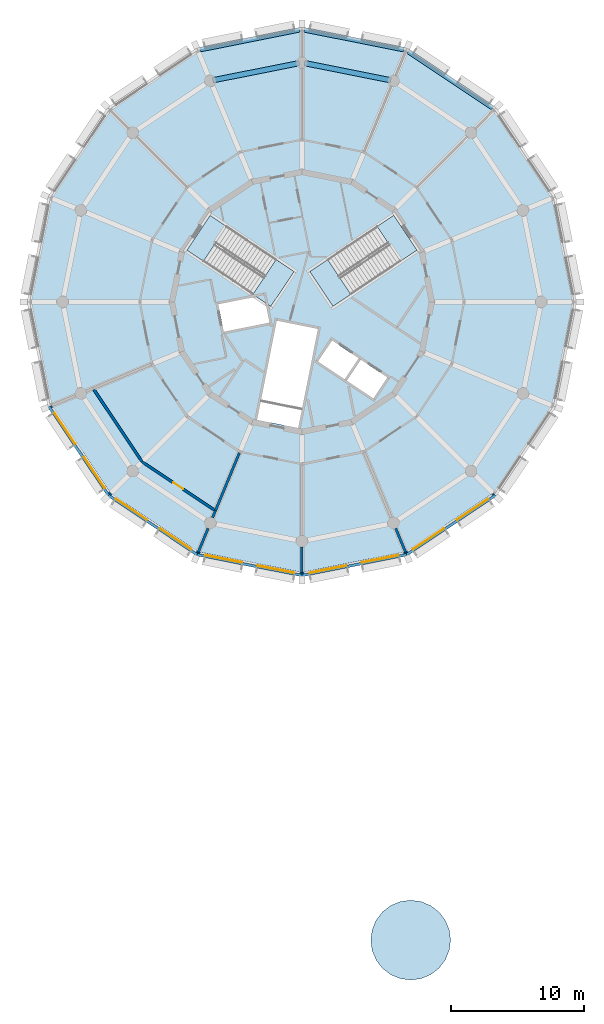
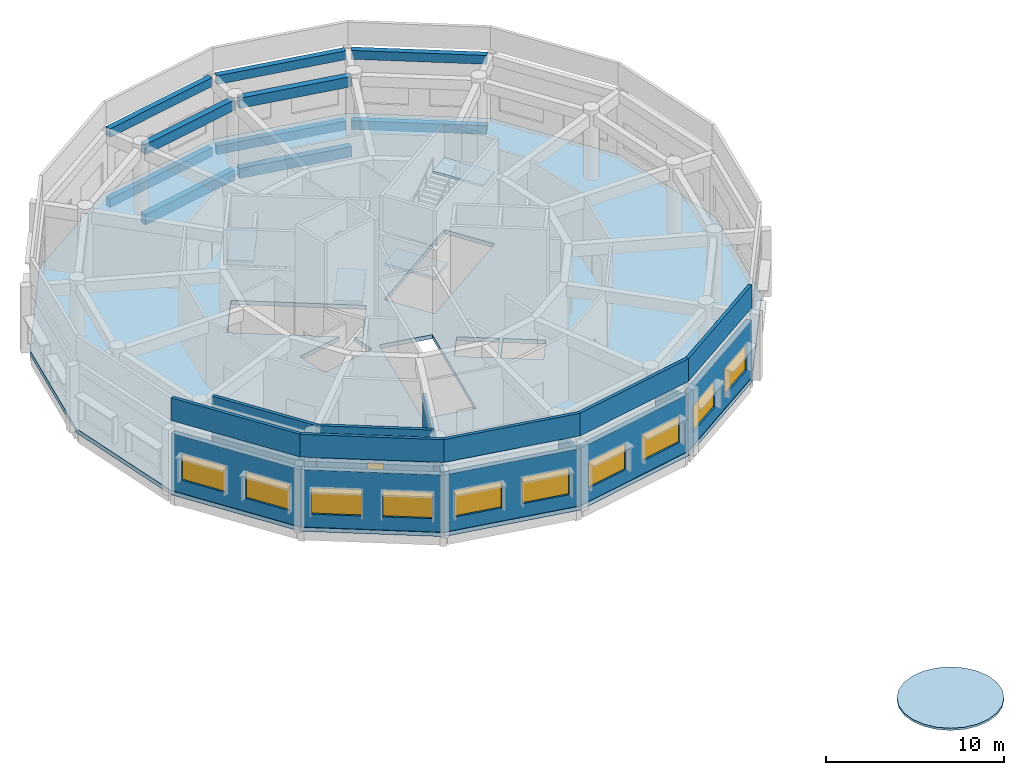
# One storey, part 2 of 8: 17 walls, 10 beams, 10 windows, 6 slabs, 1 door, 11 openings, 2 elements without a shape of their own.
"""IFC4 building model written with IfcOpenShell, lengths in metres."""

from ifc_helpers import new_model, si_unit, direction, frame, frame_2d, origin, origin_2d, place, context, subcontext, project, spatial, polyline, rectangle, outline, extrude, material, layer, layer_set, material_profile, profile_set, type_object, element, fill, aggregate, save


model = new_model("IFC4")

# Units and contexts
model_context = context("Model", 3, precision=1e-05, world=origin(), true_north=direction((0.0, 1.0)))
body_context = subcontext(model_context, "Body", "Model", "MODEL_VIEW")
ifc_project = project(units=[si_unit("LENGTHUNIT", "METRE"), si_unit("AREAUNIT", "SQUARE_METRE"), si_unit("VOLUMEUNIT", "CUBIC_METRE"), si_unit("PLANEANGLEUNIT", "RADIAN"), si_unit("MASSUNIT", "GRAM", prefix="KILO")], contexts=[model_context])

# Site, building, storey
site_placement = place(None, origin())
site = spatial("IfcSite", under=ifc_project, at=site_placement, CompositionType="ELEMENT")
building_placement = place(site_placement, origin())
building = spatial("IfcBuilding", under=site, at=building_placement, Name="Ceibo Conservatory and Research Tower", CompositionType="ELEMENT")
storey_placement = place(building_placement, frame((0.0, 0.0, 20.39990234375)))
storey = spatial("IfcBuildingStorey", under=building, at=storey_placement, Name="L04", CompositionType="ELEMENT", Elevation=20.39990234375)

# Beams
ifc_material_1 = material(Name="Concrete C35/45", Category="concrete")
ifc_material_profile_1 = material_profile(ifc_material_1, rectangle(XDim=0.35009765625, YDim=0.60009765625, at=origin_2d()), Name="RC 350x600")
ifc_profile_set_1 = profile_set([ifc_material_profile_1], Name="Concrete C35/45")
beam_type_1 = type_object("IfcBeamType", Name="RC beam 350x600 C35", PredefinedType="BEAM", material=ifc_profile_set_1)
for number, where, z_axis, x_axis, name in (
    (1, (62.3427734375, 134.597900390625, -0.579833984375), (-0.831464091312, 0.555578495676, 0.0), (-0.555578495676, -0.831464091312, 0.0), "Edge beam 03 L04"),
    (2, (55.66455078125, 138.975341796875, -0.579833984375), (-0.980783190489, 0.195100828433, 0.0), (-0.195100828433, -0.980783190489, 0.0), "Edge beam 04 L04"),
    (3, (47.819580078125, 140.464111328125, -0.579833984375), (-0.980783190489, -0.195100828433, 0.0), (0.195100828433, -0.980783190489, 0.0), "Edge beam 05 L04"),
    (4, (62.3427734375, 134.597900390625, 4.22021484375), (-0.831464091312, 0.555578495676, 0.0), (-0.555578495676, -0.831464091312, 0.0), "Edge beam 03 L04"),
    (5, (55.66455078125, 138.975341796875, 4.22021484375), (-0.980783190489, 0.195100828433, 0.0), (-0.195100828433, -0.980783190489, 0.0), "Edge beam 04 L04"),
    (6, (47.819580078125, 140.464111328125, 4.22021484375), (-0.980783190489, -0.195100828433, 0.0), (0.195100828433, -0.980783190489, 0.0), "Edge beam 05 L04"),
):
    element("IfcBeam", number, at=place(storey_placement, frame(where, z_axis=z_axis, x_axis=x_axis)), inside=storey, type_object=beam_type_1, Name=name, PredefinedType="BEAM", context=body_context, shape_type="SweptSolid", body=[
        extrude(rectangle(XDim=0.35009765625, YDim=0.60009765625, at=origin_2d()), origin(), (0.0, 0.0, 1.0), 7.630859375),
    ])
ifc_material_profile_2 = material_profile(ifc_material_1, rectangle(XDim=0.39990234375, YDim=0.699951171875, at=origin_2d()), Name="RC 400x700")
ifc_profile_set_2 = profile_set([ifc_material_profile_2], Name="Concrete C35/45")
beam_type_2 = type_object("IfcBeamType", Name="RC beam 400x700 C35", PredefinedType="BEAM", material=ifc_profile_set_2)
for number, where, z_axis, x_axis, name in (
    (7, (54.7080078125, 136.665771484375, -0.6298828125), (-0.980787526167, 0.19507903146, 0.0), (-0.19507903146, -0.980787526167, 0.0), "Ring beam 04 L04"),
    (8, (47.819580078125, 137.964111328125, -0.6298828125), (-0.980787526167, -0.19507903146, 0.0), (0.19507903146, -0.980787526167, 0.0), "Ring beam 05 L04"),
    (9, (54.7080078125, 136.665771484375, 4.170166015625), (-0.980787526167, 0.19507903146, 0.0), (-0.19507903146, -0.980787526167, 0.0), "Ring beam 04 L04"),
    (10, (47.819580078125, 137.964111328125, 4.170166015625), (-0.980787526167, -0.19507903146, 0.0), (0.19507903146, -0.980787526167, 0.0), "Ring beam 05 L04"),
):
    element("IfcBeam", number, at=place(storey_placement, frame(where, z_axis=z_axis, x_axis=x_axis)), inside=storey, type_object=beam_type_2, Name=name, PredefinedType="BEAM", context=body_context, shape_type="SweptSolid", body=[
        extrude(rectangle(XDim=0.39990234375, YDim=0.699951171875, at=origin_2d()), origin(), (0.0, 0.0, 1.0), 6.655517578125),
    ])

# Stair, slab
stair_type = type_object("IfcStairType", Name="Escape stair 146 x 280", PredefinedType="HALF_TURN_STAIR", material=ifc_material_1)
stair_1_placement = place(storey_placement, origin())
stair_1 = element("IfcStair", 11, at=stair_1_placement, inside=storey, type_object=stair_type, Name="Escape stair ST1 04", PredefinedType="HALF_TURN_STAIR")
ifc_layer_1 = layer(ifc_material_1, 0.199951171875)
ifc_layer_set_1 = layer_set([ifc_layer_1], Name="Concrete C35/45")
slab_type_1 = type_object("IfcSlabType", Name="Escape stair landing", PredefinedType="LANDING", material=ifc_layer_set_1)
slab_1_placement = place(storey_placement, frame((49.93359375, 123.186279296875, 2.280029296875), z_axis=(0.0, 0.0, 1.0), x_axis=(-0.831469612303, -0.55557023302, 0.0)))
slab_1 = element("IfcSlab", 12, at=slab_1_placement, type_object=slab_type_1, Name="ST1 landing 1", PredefinedType="LANDING", context=body_context, shape_type="SweptSolid", body=[
    extrude(outline(polyline([(0.0, 0.0), (1.6201171875, 0.0), (1.6201171875, 3.14990234375), (0.0, 3.14990234375), (0.0, 0.0)])), origin(), (0.0, 0.0, 1.0), 0.199951171875),
])

stair_2_placement = place(storey_placement, origin())
stair_2 = element("IfcStair", 13, at=stair_2_placement, inside=storey, type_object=stair_type, Name="Escape stair ST2 04", PredefinedType="HALF_TURN_STAIR")
slab_2_placement = place(storey_placement, frame((44.31640625, 120.567138671875, 2.280029296875), z_axis=(0.0, 0.0, 1.0), x_axis=(0.831469612303, -0.55557023302, 0.0)))
slab_2 = element("IfcSlab", 14, at=slab_2_placement, type_object=slab_type_1, Name="ST2 landing 1", PredefinedType="LANDING", context=body_context, shape_type="SweptSolid", body=[
    extrude(outline(polyline([(0.0, 0.0), (1.6201171875, 0.0), (1.6201171875, 3.14990234375), (0.0, 3.14990234375), (0.0, 0.0)])), origin(), (0.0, 0.0, 1.0), 0.199951171875),
])

# Slabs
ifc_layer_2 = layer(ifc_material_1, 0.14990234375)
ifc_layer_set_2 = layer_set([ifc_layer_2], Name="Concrete C35/45")
slab_type_2 = type_object("IfcSlabType", Name="RC auditorium roof deck 150", PredefinedType="ROOF", material=ifc_layer_set_2)
slab_3_placement = place(storey_placement, frame((0.0, 0.0, 0.4501953125)))
element("IfcSlab", 15, at=slab_3_placement, inside=storey, type_object=slab_type_2, Name="Auditorium roof crown deck", PredefinedType="ROOF", context=body_context, shape_type="SweptSolid", body=[
    extrude(outline(polyline([(59.18017578125, 72.0), (59.077880859375, 72.7763671875), (58.778076171875, 73.5), (58.301513671875, 74.121337890625), (57.68017578125, 74.59814453125), (56.95654296875, 74.897705078125), (56.18017578125, 75.0), (55.403564453125, 74.897705078125), (54.68017578125, 74.59814453125), (54.058837890625, 74.121337890625), (53.58203125, 73.5), (53.2822265625, 72.7763671875), (53.18017578125, 72.0), (53.2822265625, 71.2236328125), (53.58203125, 70.5), (54.058837890625, 69.878662109375), (54.68017578125, 69.40185546875), (55.403564453125, 69.102294921875), (56.18017578125, 69.0), (56.95654296875, 69.102294921875), (57.68017578125, 69.40185546875), (58.301513671875, 69.878662109375), (58.778076171875, 70.5), (59.077880859375, 71.2236328125), (59.18017578125, 72.0)])), origin(), (0.0, 0.0, 1.0), 0.14990234375),
])
ifc_layer_3 = layer(ifc_material_1, 0.280029296875)
ifc_layer_set_3 = layer_set([ifc_layer_3], Name="Concrete C35/45")
slab_type_3 = type_object("IfcSlabType", Name="RC floor slab 280", PredefinedType="FLOOR", material=ifc_layer_set_3)
slab_4_placement = place(storey_placement, frame((0.0, 0.0, -0.27978515625)))
element("IfcSlab", 16, at=slab_4_placement, inside=storey, type_object=slab_type_3, Name="Floor slab L04", PredefinedType="FLOOR", context=body_context, shape_type="SweptSolid", body=[
    extrude(outline(polyline([(68.678466796875, 120.0), (67.1044921875, 127.913330078125), (62.621826171875, 134.621826171875), (55.913330078125, 139.1044921875), (48.0, 140.678466796875), (40.086669921875, 139.1044921875), (33.378173828125, 134.621826171875), (28.8955078125, 127.913330078125), (27.321533203125, 120.0), (28.8955078125, 112.086669921875), (33.378173828125, 105.378173828125), (40.086669921875, 100.8955078125), (48.0, 99.321533203125), (55.913330078125, 100.8955078125), (62.621826171875, 105.378173828125), (67.1044921875, 112.086669921875), (68.678466796875, 120.0)]), holes=[polyline([(52.43310546875, 115.65478515625), (51.37744140625, 114.074951171875), (53.373046875, 112.74169921875), (54.428466796875, 114.321533203125), (52.43310546875, 115.65478515625)]), polyline([(47.718994140625, 110.5146484375), (49.201904296875, 117.96875), (46.1123046875, 118.583251953125), (44.629638671875, 111.129150390625), (47.718994140625, 110.5146484375)]), polyline([(52.266845703125, 115.765869140625), (50.271240234375, 117.099365234375), (49.215576171875, 115.51953125), (51.211181640625, 114.18603515625), (52.266845703125, 115.765869140625)]), polyline([(42.1240234375, 117.760498046875), (45.556640625, 118.443359375), (45.259521484375, 119.936767578125), (45.663330078125, 119.6669921875), (47.413330078125, 122.2861328125), (41.09423828125, 126.508544921875), (39.34423828125, 123.889404296875), (44.58056640625, 120.390380859375), (41.71435546875, 119.8203125), (42.1240234375, 117.760498046875)]), polyline([(54.90576171875, 126.508544921875), (48.586669921875, 122.2861328125), (50.336669921875, 119.6669921875), (56.65576171875, 123.889404296875), (54.90576171875, 126.508544921875)])]), origin(), (0.0, 0.0, 1.0), 0.27978515625),
])

# Slab
ifc_layer_4 = layer(ifc_material_1, 0.159912109375)
ifc_layer_set_4 = layer_set([ifc_layer_4], Name="Concrete C35/45")
slab_type_4 = type_object("IfcSlabType", Name="Roof stair landing 160", PredefinedType="LANDING", material=ifc_layer_set_4)
slab_5_placement = place(storey_placement, frame((54.90576171875, 126.508544921875, 4.80029296875), z_axis=(0.0, 0.0, 1.0), x_axis=(-0.831469612303, -0.55557023302, 0.0)))
slab_5 = element("IfcSlab", 17, at=slab_5_placement, type_object=slab_type_4, Name="ST1 landing 2", PredefinedType="LANDING", context=body_context, shape_type="SweptSolid", body=[
    extrude(outline(polyline([(0.0, 0.0), (1.5, 0.0), (1.5, 3.150146484375), (0.0, 3.150146484375), (0.0, 0.0)])), origin(), (0.0, 0.0, 1.0), 0.159912109375),
])

aggregate(stair_1, [slab_1, slab_5])

slab_6_placement = place(storey_placement, frame((39.34423828125, 123.889404296875, 4.80029296875), z_axis=(0.0, 0.0, 1.0), x_axis=(0.831469612303, -0.55557023302, 0.0)))
slab_6 = element("IfcSlab", 18, at=slab_6_placement, type_object=slab_type_4, Name="ST2 landing 2", PredefinedType="LANDING", context=body_context, shape_type="SweptSolid", body=[
    extrude(outline(polyline([(0.0, 0.0), (1.5, 0.0), (1.5, 3.150146484375), (0.0, 3.150146484375), (0.0, 0.0)])), origin(), (0.0, 0.0, 1.0), 0.159912109375),
])

aggregate(stair_2, [slab_2, slab_6])

# Wall, opening, door
ifc_material_2 = material(Name="Masonry blockwork", Category="masonry")
ifc_layer_5 = layer(ifc_material_2, 0.199951171875)
ifc_layer_set_5 = layer_set([ifc_layer_5], Name="Masonry blockwork")
wall_type_1 = type_object("IfcWallType", Name="Compartment wall 200 EI 120", PredefinedType="SOLIDWALL", material=ifc_layer_set_5)
wall_1_placement = place(storey_placement, frame((41.413818359375, 104.347900390625, 0.0), z_axis=(0.0, 0.0, 1.0), x_axis=(-0.831463684976, 0.555579103788, 0.0)))
wall_1 = element("IfcWall", 19, at=wall_1_placement, inside=storey, type_object=wall_type_1, Name="Partition 04.017", PredefinedType="SOLIDWALL", context=body_context, shape_type="SweptSolid", body=[
    extrude(rectangle(XDim=6.5361328125, YDim=0.199951171875, at=frame_2d((3.26806640625, 0.0))), origin(), (0.0, 0.0, 1.0), 4.52001953125),
])
opening_1_placement = place(wall_1_placement, frame((2.818115234375, 0.0, 0.0)))
opening_1 = element("IfcOpeningElement", 20, at=opening_1_placement, cuts=wall_1, Name="Opening T04-03", PredefinedType="OPENING", context=body_context, shape_type="SweptSolid", body=[
    extrude(rectangle(XDim=0.89990234375, YDim=2.10009765625, at=frame_2d((0.449951171875, 1.050048828125))), frame((0.0, 0.10986328125, 0.0), z_axis=(0.0, -1.0, 0.0), x_axis=(1.0, 0.0, 0.0)), (0.0, 0.0, 1.0), 0.219970703125),
])
ifc_material_3 = material(Name="Solid timber", Category="wood")
door_type = type_object("IfcDoorType", Name="Door single 900x2100 (left hand)", OperationType="SINGLE_SWING_LEFT", PredefinedType="DOOR", material=ifc_material_3)
door_placement = place(opening_1_placement, frame((0.89990234375, 0.0, 0.0), z_axis=(0.0, 0.0, 1.0), x_axis=(-1.0, 0.0, 0.0)))
door = element("IfcDoor", 21, at=door_placement, inside=storey, type_object=door_type, Name="Door T04-03", OperationType="SINGLE_SWING_LEFT", OverallHeight=2.10009765625, OverallWidth=0.89990234375, PredefinedType="DOOR", context=body_context, shape_type="SweptSolid", body=[
    extrude(rectangle(XDim=0.89990234375, YDim=2.10009765625, at=frame_2d((0.449951171875, 1.050048828125))), frame((0.0, 0.02490234375, 0.0), z_axis=(0.0, -1.0, 0.0), x_axis=(1.0, 0.0, 0.0)), (0.0, 0.0, 1.0), 0.050048828125),
])
fill(opening_1, door)

# Walls
wall_2_placement = place(storey_placement, frame((35.979248046875, 107.979248046875, 0.0), z_axis=(0.0, 0.0, 1.0), x_axis=(-0.555579103788, 0.831463684976, 0.0)))
element("IfcWall", 22, at=wall_2_placement, inside=storey, type_object=wall_type_1, Name="Partition 04.018", PredefinedType="SOLIDWALL", context=body_context, shape_type="SweptSolid", body=[
    extrude(rectangle(XDim=6.5361328125, YDim=0.199951171875, at=frame_2d((3.26806640625, 0.0))), origin(), (0.0, 0.0, 1.0), 4.52001953125),
])
wall_3_placement = place(storey_placement, frame((43.294189453125, 108.63916015625, 0.0), z_axis=(0.0, 0.0, 1.0), x_axis=(-0.382694121147, -0.923875105, 0.0)))
element("IfcWall", 23, at=wall_3_placement, inside=storey, type_object=wall_type_1, Name="Partition 04.019", PredefinedType="SOLIDWALL", context=body_context, shape_type="SweptSolid", body=[
    extrude(rectangle(XDim=4.702880859375, YDim=0.199951171875, at=frame_2d((2.3515625, 0.0))), origin(), (0.0, 0.0, 1.0), 3.72021484375),
])
wall_4_placement = place(storey_placement, frame((40.943359375, 102.963623046875, 0.0), z_axis=(0.0, 0.0, 1.0), x_axis=(-0.382743417344, -0.923854683638, 0.0)))
element("IfcWall", 24, at=wall_4_placement, inside=storey, type_object=wall_type_1, Name="Partition 04.021", PredefinedType="SOLIDWALL", context=body_context, shape_type="SweptSolid", body=[
    extrude(rectangle(XDim=1.927001953125, YDim=0.199951171875, at=frame_2d((0.96337890625, 0.0))), origin(), (0.0, 0.0, 1.0), 3.72021484375),
])
wall_5_placement = place(storey_placement, frame((41.494384765625, 104.2939453125, 0.0), z_axis=(0.0, 0.0, 1.0), x_axis=(-0.382788170111, -0.92383614176, 0.0)))
element("IfcWall", 25, at=wall_5_placement, inside=storey, type_object=wall_type_1, Name="Partition 04.022", PredefinedType="SOLIDWALL", context=body_context, shape_type="SweptSolid", body=[
    extrude(rectangle(XDim=0.56005859375, YDim=0.199951171875, at=frame_2d((0.280029296875, 0.0))), origin(), (0.0, 0.0, 1.0), 3.72021484375),
])
wall_6_placement = place(storey_placement, frame((48.0, 101.56005859375, 0.0), z_axis=(0.0, 0.0, 1.0), x_axis=(0.0, -1.0, 0.0)))
element("IfcWall", 26, at=wall_6_placement, inside=storey, type_object=wall_type_1, Name="Partition 04.025", PredefinedType="SOLIDWALL", context=body_context, shape_type="SweptSolid", body=[
    extrude(rectangle(XDim=1.92724609375, YDim=0.199951171875, at=frame_2d((0.963623046875, 0.0))), origin(), (0.0, 0.0, 1.0), 3.72021484375),
])
wall_7_placement = place(storey_placement, frame((55.056640625, 102.963623046875, 0.0), z_axis=(0.0, 0.0, 1.0), x_axis=(0.382743417344, -0.923854683638, 0.0)))
element("IfcWall", 27, at=wall_7_placement, inside=storey, type_object=wall_type_1, Name="Partition 04.028", PredefinedType="SOLIDWALL", context=body_context, shape_type="SweptSolid", body=[
    extrude(rectangle(XDim=1.927001953125, YDim=0.199951171875, at=frame_2d((0.96337890625, 0.0))), origin(), (0.0, 0.0, 1.0), 3.72021484375),
])

# Wall, openings, windows
ifc_material_4 = material(Name="Ceramic mosaic tessera")
ifc_layer_6 = layer(ifc_material_4, 0.010009765625, Name="Ceramic mosaic")
ifc_material_5 = material(Name="Polymer-modified bedding mortar")
ifc_layer_7 = layer(ifc_material_5, 0.014892578125, Name="Bedding mortar")
ifc_material_6 = material(Name="Mineral wool insulation")
ifc_layer_8 = layer(ifc_material_6, 0.050048828125, Name="Insulation")
ifc_material_7 = material(Name="Concrete C30/37", Category="concrete")
ifc_layer_9 = layer(ifc_material_7, 0.215087890625, Name="Reinforced concrete leaf")
ifc_material_8 = material(Name="Gypsum plaster")
ifc_layer_10 = layer(ifc_material_8, 0.010009765625, Name="Internal plaster")
ifc_layer_set_6 = layer_set([ifc_layer_6, ifc_layer_7, ifc_layer_8, ifc_layer_9, ifc_layer_10], Name="Concrete C30/37")
wall_type_2 = type_object("IfcWallType", Name="Facade panel wall 300", PredefinedType="SOLIDWALL", material=ifc_layer_set_6)
wall_8_placement = place(storey_placement, frame((29.060546875, 112.155029296875, 0.0), z_axis=(0.0, 0.0, 1.0), x_axis=(0.555573308032, -0.831467557637, 0.0)))
wall_8 = element("IfcWall", 28, at=wall_8_placement, inside=storey, type_object=wall_type_2, Name="Facade wall L04 facet 10", PredefinedType="SOLIDWALL", context=body_context, shape_type="SweptSolid", body=[
    extrude(outline(polyline([(-0.02978515625, -0.14990234375), (8.028564453125, -0.14990234375), (7.968994140625, 0.14990234375), (0.02978515625, 0.14990234375), (-0.02978515625, -0.14990234375)])), origin(), (0.0, 0.0, 1.0), 3.920166015625),
])
opening_2_placement = place(wall_8_placement, frame((0.599609375, 0.0, 0.89990234375)))
opening_2 = element("IfcOpeningElement", 29, at=opening_2_placement, cuts=wall_8, Name="Opening PW2", PredefinedType="OPENING", context=body_context, shape_type="SweptSolid", body=[
    extrude(rectangle(XDim=2.800048828125, YDim=1.800048828125, at=frame_2d((1.39990234375, 0.89990234375))), frame((0.0, 0.159912109375, 0.0), z_axis=(0.0, -1.0, 0.0), x_axis=(1.0, 0.0, 0.0)), (0.0, 0.0, 1.0), 0.320068359375),
])
opening_3_placement = place(wall_8_placement, frame((4.59912109375, 0.0, 0.89990234375)))
opening_3 = element("IfcOpeningElement", 30, at=opening_3_placement, cuts=wall_8, Name="Opening PW2", PredefinedType="OPENING", context=body_context, shape_type="SweptSolid", body=[
    extrude(rectangle(XDim=2.800048828125, YDim=1.800048828125, at=frame_2d((1.39990234375, 0.89990234375))), frame((0.0, 0.159912109375, 0.0), z_axis=(0.0, -1.0, 0.0), x_axis=(1.0, 0.0, 0.0)), (0.0, 0.0, 1.0), 0.320068359375),
])
ifc_material_9 = material(Name="Aluminium frame with double glazing", Category="aluminium")
window_type = type_object("IfcWindowType", Name="Punched window PW1 2800 x 1800", PartitioningType="DOUBLE_PANEL_VERTICAL", PredefinedType="WINDOW", material=ifc_material_9)
window_1_placement = place(opening_2_placement, origin())
window_1 = element("IfcWindow", 31, at=window_1_placement, inside=storey, type_object=window_type, Name="T.L04.F09.WIN.1", OverallHeight=1.800048828125, OverallWidth=2.800048828125, PartitioningType="DOUBLE_PANEL_VERTICAL", PredefinedType="WINDOW", context=body_context, shape_type="SweptSolid", body=[
    extrude(rectangle(XDim=2.800048828125, YDim=1.800048828125, at=frame_2d((1.39990234375, 0.89990234375))), frame((0.0, 0.030029296875, 0.0), z_axis=(0.0, -1.0, 0.0), x_axis=(1.0, 0.0, 0.0)), (0.0, 0.0, 1.0), 0.06005859375),
])
fill(opening_2, window_1)
window_2_placement = place(opening_3_placement, origin())
window_2 = element("IfcWindow", 32, at=window_2_placement, inside=storey, type_object=window_type, Name="T.L04.F09.WIN.2", OverallHeight=1.800048828125, OverallWidth=2.800048828125, PartitioningType="DOUBLE_PANEL_VERTICAL", PredefinedType="WINDOW", context=body_context, shape_type="SweptSolid", body=[
    extrude(rectangle(XDim=2.800048828125, YDim=1.800048828125, at=frame_2d((1.39990234375, 0.89990234375))), frame((0.0, 0.030029296875, 0.0), z_axis=(0.0, -1.0, 0.0), x_axis=(1.0, 0.0, 0.0)), (0.0, 0.0, 1.0), 0.06005859375),
])
fill(opening_3, window_2)

wall_9_placement = place(storey_placement, frame((33.50439453125, 105.50439453125, 0.0), z_axis=(0.0, 0.0, 1.0), x_axis=(0.831467557637, -0.555573308032, 0.0)))
wall_9 = element("IfcWall", 33, at=wall_9_placement, inside=storey, type_object=wall_type_2, Name="Facade wall L04 facet 11", PredefinedType="SOLIDWALL", context=body_context, shape_type="SweptSolid", body=[
    extrude(outline(polyline([(-0.02978515625, -0.14990234375), (8.028564453125, -0.14990234375), (7.968994140625, 0.14990234375), (0.02978515625, 0.14990234375), (-0.02978515625, -0.14990234375)])), origin(), (0.0, 0.0, 1.0), 3.920166015625),
])
opening_4_placement = place(wall_9_placement, frame((0.599609375, 0.0, 0.89990234375)))
opening_4 = element("IfcOpeningElement", 34, at=opening_4_placement, cuts=wall_9, Name="Opening PW2", PredefinedType="OPENING", context=body_context, shape_type="SweptSolid", body=[
    extrude(rectangle(XDim=2.800048828125, YDim=1.800048828125, at=frame_2d((1.39990234375, 0.89990234375))), frame((0.0, 0.159912109375, 0.0), z_axis=(0.0, -1.0, 0.0), x_axis=(1.0, 0.0, 0.0)), (0.0, 0.0, 1.0), 0.320068359375),
])
opening_5_placement = place(wall_9_placement, frame((4.59912109375, 0.0, 0.89990234375)))
opening_5 = element("IfcOpeningElement", 35, at=opening_5_placement, cuts=wall_9, Name="Opening PW2", PredefinedType="OPENING", context=body_context, shape_type="SweptSolid", body=[
    extrude(rectangle(XDim=2.800048828125, YDim=1.800048828125, at=frame_2d((1.39990234375, 0.89990234375))), frame((0.0, 0.159912109375, 0.0), z_axis=(0.0, -1.0, 0.0), x_axis=(1.0, 0.0, 0.0)), (0.0, 0.0, 1.0), 0.320068359375),
])
window_3_placement = place(opening_4_placement, origin())
window_3 = element("IfcWindow", 36, at=window_3_placement, inside=storey, type_object=window_type, Name="T.L04.F10.WIN.1", OverallHeight=1.800048828125, OverallWidth=2.800048828125, PartitioningType="DOUBLE_PANEL_VERTICAL", PredefinedType="WINDOW", context=body_context, shape_type="SweptSolid", body=[
    extrude(rectangle(XDim=2.800048828125, YDim=1.800048828125, at=frame_2d((1.39990234375, 0.89990234375))), frame((0.0, 0.030029296875, 0.0), z_axis=(0.0, -1.0, 0.0), x_axis=(1.0, 0.0, 0.0)), (0.0, 0.0, 1.0), 0.06005859375),
])
fill(opening_4, window_3)
window_4_placement = place(opening_5_placement, origin())
window_4 = element("IfcWindow", 37, at=window_4_placement, inside=storey, type_object=window_type, Name="T.L04.F10.WIN.2", OverallHeight=1.800048828125, OverallWidth=2.800048828125, PartitioningType="DOUBLE_PANEL_VERTICAL", PredefinedType="WINDOW", context=body_context, shape_type="SweptSolid", body=[
    extrude(rectangle(XDim=2.800048828125, YDim=1.800048828125, at=frame_2d((1.39990234375, 0.89990234375))), frame((0.0, 0.030029296875, 0.0), z_axis=(0.0, -1.0, 0.0), x_axis=(1.0, 0.0, 0.0)), (0.0, 0.0, 1.0), 0.06005859375),
])
fill(opening_5, window_4)

wall_10_placement = place(storey_placement, frame((40.155029296875, 101.060546875, 0.0), z_axis=(0.0, 0.0, 1.0), x_axis=(0.980783242692, -0.195100566, 0.0)))
wall_10 = element("IfcWall", 38, at=wall_10_placement, inside=storey, type_object=wall_type_2, Name="Facade wall L04 facet 12", PredefinedType="SOLIDWALL", context=body_context, shape_type="SweptSolid", body=[
    extrude(outline(polyline([(-0.02978515625, -0.14990234375), (8.028564453125, -0.14990234375), (7.968994140625, 0.14990234375), (0.02978515625, 0.14990234375), (-0.02978515625, -0.14990234375)])), origin(), (0.0, 0.0, 1.0), 3.920166015625),
])
opening_6_placement = place(wall_10_placement, frame((0.599609375, 0.0, 0.89990234375)))
opening_6 = element("IfcOpeningElement", 39, at=opening_6_placement, cuts=wall_10, Name="Opening PW2", PredefinedType="OPENING", context=body_context, shape_type="SweptSolid", body=[
    extrude(rectangle(XDim=2.800048828125, YDim=1.800048828125, at=frame_2d((1.39990234375, 0.89990234375))), frame((0.0, 0.159912109375, 0.0), z_axis=(0.0, -1.0, 0.0), x_axis=(1.0, 0.0, 0.0)), (0.0, 0.0, 1.0), 0.320068359375),
])
opening_7_placement = place(wall_10_placement, frame((4.59912109375, 0.0, 0.89990234375)))
opening_7 = element("IfcOpeningElement", 40, at=opening_7_placement, cuts=wall_10, Name="Opening PW2", PredefinedType="OPENING", context=body_context, shape_type="SweptSolid", body=[
    extrude(rectangle(XDim=2.800048828125, YDim=1.800048828125, at=frame_2d((1.39990234375, 0.89990234375))), frame((0.0, 0.159912109375, 0.0), z_axis=(0.0, -1.0, 0.0), x_axis=(1.0, 0.0, 0.0)), (0.0, 0.0, 1.0), 0.320068359375),
])
window_5_placement = place(opening_6_placement, origin())
window_5 = element("IfcWindow", 41, at=window_5_placement, inside=storey, type_object=window_type, Name="T.L04.F11.WIN.1", OverallHeight=1.800048828125, OverallWidth=2.800048828125, PartitioningType="DOUBLE_PANEL_VERTICAL", PredefinedType="WINDOW", context=body_context, shape_type="SweptSolid", body=[
    extrude(rectangle(XDim=2.800048828125, YDim=1.800048828125, at=frame_2d((1.39990234375, 0.89990234375))), frame((0.0, 0.030029296875, 0.0), z_axis=(0.0, -1.0, 0.0), x_axis=(1.0, 0.0, 0.0)), (0.0, 0.0, 1.0), 0.06005859375),
])
fill(opening_6, window_5)
window_6_placement = place(opening_7_placement, origin())
window_6 = element("IfcWindow", 42, at=window_6_placement, inside=storey, type_object=window_type, Name="T.L04.F11.WIN.2", OverallHeight=1.800048828125, OverallWidth=2.800048828125, PartitioningType="DOUBLE_PANEL_VERTICAL", PredefinedType="WINDOW", context=body_context, shape_type="SweptSolid", body=[
    extrude(rectangle(XDim=2.800048828125, YDim=1.800048828125, at=frame_2d((1.39990234375, 0.89990234375))), frame((0.0, 0.030029296875, 0.0), z_axis=(0.0, -1.0, 0.0), x_axis=(1.0, 0.0, 0.0)), (0.0, 0.0, 1.0), 0.06005859375),
])
fill(opening_7, window_6)

wall_11_placement = place(storey_placement, frame((48.0, 99.5, 0.0), z_axis=(0.0, 0.0, 1.0), x_axis=(0.980783242692, 0.195100566, 0.0)))
wall_11 = element("IfcWall", 43, at=wall_11_placement, inside=storey, type_object=wall_type_2, Name="Facade wall L04 facet 13", PredefinedType="SOLIDWALL", context=body_context, shape_type="SweptSolid", body=[
    extrude(outline(polyline([(-0.02978515625, -0.14990234375), (8.028564453125, -0.14990234375), (7.968994140625, 0.14990234375), (0.02978515625, 0.14990234375), (-0.02978515625, -0.14990234375)])), origin(), (0.0, 0.0, 1.0), 3.920166015625),
])
opening_8_placement = place(wall_11_placement, frame((0.599609375, 0.0, 0.89990234375)))
opening_8 = element("IfcOpeningElement", 44, at=opening_8_placement, cuts=wall_11, Name="Opening PW2", PredefinedType="OPENING", context=body_context, shape_type="SweptSolid", body=[
    extrude(rectangle(XDim=2.800048828125, YDim=1.800048828125, at=frame_2d((1.39990234375, 0.89990234375))), frame((0.0, 0.159912109375, 0.0), z_axis=(0.0, -1.0, 0.0), x_axis=(1.0, 0.0, 0.0)), (0.0, 0.0, 1.0), 0.320068359375),
])
opening_9_placement = place(wall_11_placement, frame((4.59912109375, 0.0, 0.89990234375)))
opening_9 = element("IfcOpeningElement", 45, at=opening_9_placement, cuts=wall_11, Name="Opening PW2", PredefinedType="OPENING", context=body_context, shape_type="SweptSolid", body=[
    extrude(rectangle(XDim=2.800048828125, YDim=1.800048828125, at=frame_2d((1.39990234375, 0.89990234375))), frame((0.0, 0.159912109375, 0.0), z_axis=(0.0, -1.0, 0.0), x_axis=(1.0, 0.0, 0.0)), (0.0, 0.0, 1.0), 0.320068359375),
])
window_7_placement = place(opening_8_placement, origin())
window_7 = element("IfcWindow", 46, at=window_7_placement, inside=storey, type_object=window_type, Name="T.L04.F12.WIN.1", OverallHeight=1.800048828125, OverallWidth=2.800048828125, PartitioningType="DOUBLE_PANEL_VERTICAL", PredefinedType="WINDOW", context=body_context, shape_type="SweptSolid", body=[
    extrude(rectangle(XDim=2.800048828125, YDim=1.800048828125, at=frame_2d((1.39990234375, 0.89990234375))), frame((0.0, 0.030029296875, 0.0), z_axis=(0.0, -1.0, 0.0), x_axis=(1.0, 0.0, 0.0)), (0.0, 0.0, 1.0), 0.06005859375),
])
fill(opening_8, window_7)
window_8_placement = place(opening_9_placement, origin())
window_8 = element("IfcWindow", 47, at=window_8_placement, inside=storey, type_object=window_type, Name="T.L04.F12.WIN.2", OverallHeight=1.800048828125, OverallWidth=2.800048828125, PartitioningType="DOUBLE_PANEL_VERTICAL", PredefinedType="WINDOW", context=body_context, shape_type="SweptSolid", body=[
    extrude(rectangle(XDim=2.800048828125, YDim=1.800048828125, at=frame_2d((1.39990234375, 0.89990234375))), frame((0.0, 0.030029296875, 0.0), z_axis=(0.0, -1.0, 0.0), x_axis=(1.0, 0.0, 0.0)), (0.0, 0.0, 1.0), 0.06005859375),
])
fill(opening_9, window_8)

wall_12_placement = place(storey_placement, frame((55.844970703125, 101.060546875, 0.0), z_axis=(0.0, 0.0, 1.0), x_axis=(0.831467557637, 0.555573308032, 0.0)))
wall_12 = element("IfcWall", 48, at=wall_12_placement, inside=storey, type_object=wall_type_2, Name="Facade wall L04 facet 14", PredefinedType="SOLIDWALL", context=body_context, shape_type="SweptSolid", body=[
    extrude(outline(polyline([(-0.02978515625, -0.14990234375), (8.028564453125, -0.14990234375), (7.968994140625, 0.14990234375), (0.02978515625, 0.14990234375), (-0.02978515625, -0.14990234375)])), origin(), (0.0, 0.0, 1.0), 3.920166015625),
])
opening_10_placement = place(wall_12_placement, frame((0.599609375, 0.0, 0.89990234375)))
opening_10 = element("IfcOpeningElement", 49, at=opening_10_placement, cuts=wall_12, Name="Opening PW2", PredefinedType="OPENING", context=body_context, shape_type="SweptSolid", body=[
    extrude(rectangle(XDim=2.800048828125, YDim=1.800048828125, at=frame_2d((1.39990234375, 0.89990234375))), frame((0.0, 0.159912109375, 0.0), z_axis=(0.0, -1.0, 0.0), x_axis=(1.0, 0.0, 0.0)), (0.0, 0.0, 1.0), 0.320068359375),
])
opening_11_placement = place(wall_12_placement, frame((4.59912109375, 0.0, 0.89990234375)))
opening_11 = element("IfcOpeningElement", 50, at=opening_11_placement, cuts=wall_12, Name="Opening PW2", PredefinedType="OPENING", context=body_context, shape_type="SweptSolid", body=[
    extrude(rectangle(XDim=2.800048828125, YDim=1.800048828125, at=frame_2d((1.39990234375, 0.89990234375))), frame((0.0, 0.159912109375, 0.0), z_axis=(0.0, -1.0, 0.0), x_axis=(1.0, 0.0, 0.0)), (0.0, 0.0, 1.0), 0.320068359375),
])
window_9_placement = place(opening_10_placement, origin())
window_9 = element("IfcWindow", 51, at=window_9_placement, inside=storey, type_object=window_type, Name="T.L04.F13.WIN.1", OverallHeight=1.800048828125, OverallWidth=2.800048828125, PartitioningType="DOUBLE_PANEL_VERTICAL", PredefinedType="WINDOW", context=body_context, shape_type="SweptSolid", body=[
    extrude(rectangle(XDim=2.800048828125, YDim=1.800048828125, at=frame_2d((1.39990234375, 0.89990234375))), frame((0.0, 0.030029296875, 0.0), z_axis=(0.0, -1.0, 0.0), x_axis=(1.0, 0.0, 0.0)), (0.0, 0.0, 1.0), 0.06005859375),
])
fill(opening_10, window_9)
window_10_placement = place(opening_11_placement, origin())
window_10 = element("IfcWindow", 52, at=window_10_placement, inside=storey, type_object=window_type, Name="T.L04.F13.WIN.2", OverallHeight=1.800048828125, OverallWidth=2.800048828125, PartitioningType="DOUBLE_PANEL_VERTICAL", PredefinedType="WINDOW", context=body_context, shape_type="SweptSolid", body=[
    extrude(rectangle(XDim=2.800048828125, YDim=1.800048828125, at=frame_2d((1.39990234375, 0.89990234375))), frame((0.0, 0.030029296875, 0.0), z_axis=(0.0, -1.0, 0.0), x_axis=(1.0, 0.0, 0.0)), (0.0, 0.0, 1.0), 0.06005859375),
])
fill(opening_11, window_10)

# Walls
ifc_layer_11 = layer(ifc_material_4, 0.010009765625, Name="Ceramic mosaic")
ifc_layer_12 = layer(ifc_material_7, 0.18994140625, Name="Reinforced concrete leaf")
ifc_layer_set_7 = layer_set([ifc_layer_11, ifc_layer_12], Name="Concrete C30/37")
wall_type_3 = type_object("IfcWallType", Name="Parapet wall 200", PredefinedType="PARAPET", material=ifc_layer_set_7)
for number, where, z_axis, x_axis, name in (
    (53, (28.98974609375, 112.125732421875, 4.800048828125), (0.0, 0.0, 1.0), (0.555570054396, -0.831469731655, 0.0), "Parapet L04 10"),
    (54, (33.4501953125, 105.4501953125, 4.800048828125), (0.0, 0.0, 1.0), (0.831469731655, -0.555570054396, 0.0), "Parapet L04 11"),
    (55, (40.125732421875, 100.98974609375, 4.800048828125), (0.0, 0.0, 1.0), (0.980788309336, -0.195075093926, 0.0), "Parapet L04 12"),
    (56, (48.0, 99.423583984375, 4.800048828125), (0.0, 0.0, 1.0), (0.980788309336, 0.195075093926, 0.0), "Parapet L04 13"),
    (57, (55.874267578125, 100.98974609375, 4.800048828125), (0.0, 0.0, 1.0), (0.831469731655, 0.555570054396, 0.0), "Parapet L04 14"),
):
    element("IfcWall", number, at=place(storey_placement, frame(where, z_axis=z_axis, x_axis=x_axis)), inside=storey, type_object=wall_type_3, Name=name, PredefinedType="PARAPET", context=body_context, shape_type="SweptSolid", body=[
        extrude(outline(polyline([(-0.019775390625, -0.10009765625), (8.04833984375, -0.10009765625), (8.0087890625, 0.10009765625), (0.019775390625, 0.10009765625), (-0.019775390625, -0.10009765625)])), origin(), (0.0, 0.0, 1.0), 1.550048828125),
    ])

save(model, "model.ifc")
